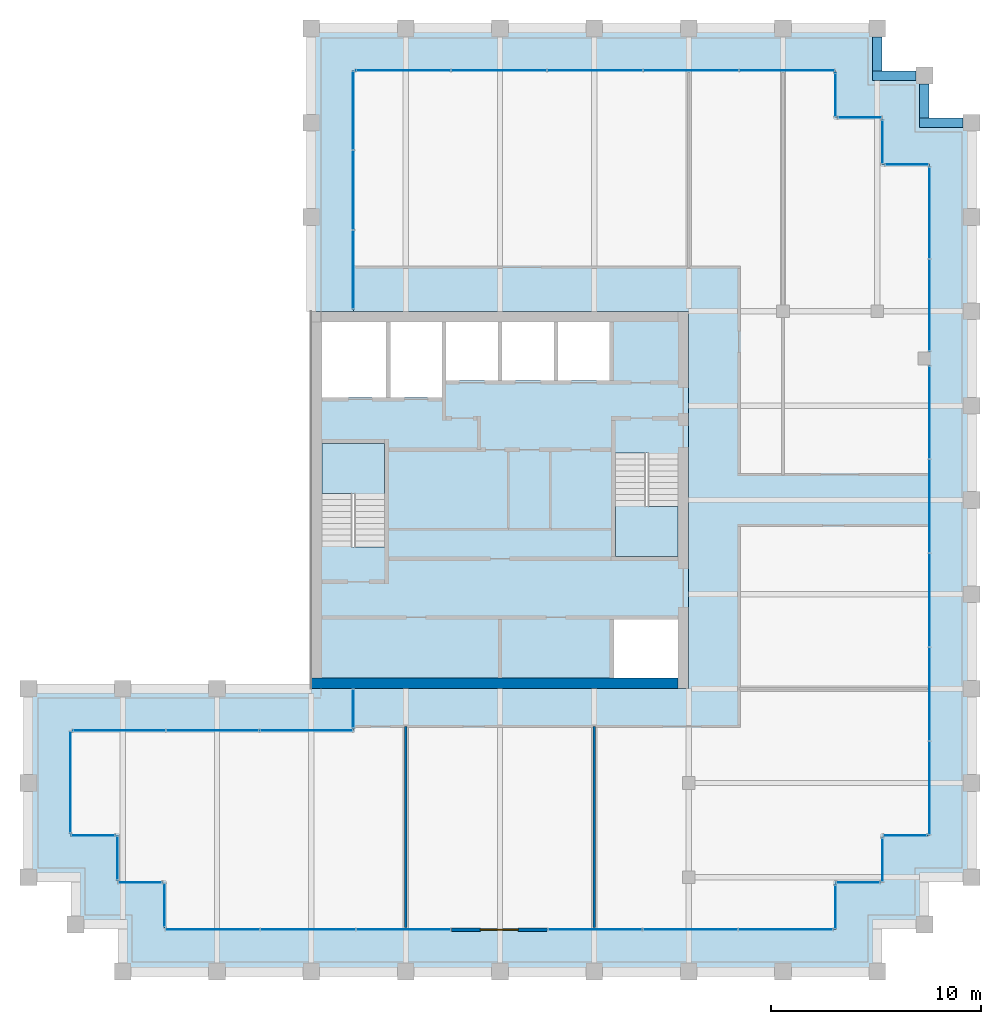
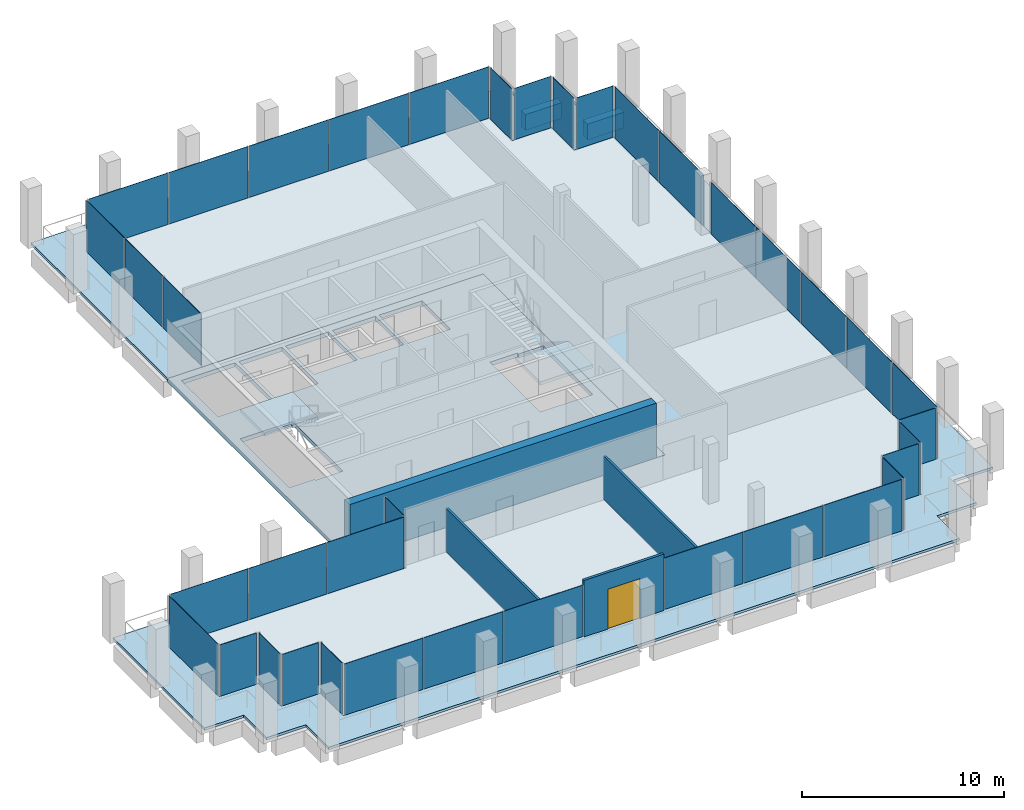
# One storey, part 27 of 30: 38 plates, 5 slabs, 4 beams, 4 walls, 1 door, 1 opening, 23 elements without a shape of their own.
"""IFC4 building model written with IfcOpenShell, lengths in metres."""

from ifc_helpers import new_model, si_unit, direction, frame, frame_2d, origin, origin_2d, place, context, subcontext, project, spatial, polyline, rectangle, outline, extrude, material, layer, layer_set, material_profile, profile_set, type_object, element, fill, aggregate, save


model = new_model("IFC4")

# Units and contexts
model_context = context("Model", 3, precision=1e-05, world=origin(), true_north=direction((0.0, 1.0)))
body_context = subcontext(model_context, "Body", "Model", "MODEL_VIEW")
ifc_project = project(units=[si_unit("LENGTHUNIT", "METRE"), si_unit("AREAUNIT", "SQUARE_METRE"), si_unit("VOLUMEUNIT", "CUBIC_METRE"), si_unit("PLANEANGLEUNIT", "RADIAN"), si_unit("MASSUNIT", "GRAM", prefix="KILO")], contexts=[model_context])

# Site, building, storey
site_placement = place(None, origin())
site = spatial("IfcSite", under=ifc_project, at=site_placement, CompositionType="ELEMENT")
building_placement = place(site_placement, origin())
building = spatial("IfcBuilding", under=site, at=building_placement, Name="Altepetl Exchange Towers", CompositionType="ELEMENT")
storey_placement = place(building_placement, frame((0.0, 0.0, 242.39990234375)))
storey = spatial("IfcBuildingStorey", under=building, at=storey_placement, Name="L62", CompositionType="ELEMENT", Elevation=242.39990234375)

# Beams
ifc_material_1 = material(Name="Concrete C50/60 precast with cantera rosa facing", Category="concrete")
ifc_material_profile = material_profile(ifc_material_1, rectangle(XDim=0.449951171875, YDim=0.949951171875, at=origin_2d()), Name="450 x 950")
ifc_profile_set = profile_set([ifc_material_profile], Name="Concrete C50/60 precast with cantera rosa facing")
beam_type = type_object("IfcBeamType", Name="Spandrel beam 450x950 cantera rosa", PredefinedType="SPANDREL", material=ifc_profile_set)
beam_1_placement = place(storey_placement, frame((71.60009765625, 67.5, -0.625), z_axis=(-1.0, 0.0, 0.0), x_axis=(0.0, -1.0, 0.0)))
element("IfcBeam", 1, at=beam_1_placement, inside=storey, type_object=beam_type, Name="sp:A:L62:020", PredefinedType="SPANDREL", context=body_context, shape_type="SweptSolid", body=[
    extrude(rectangle(XDim=0.449951171875, YDim=0.949951171875, at=origin_2d()), origin(), (0.0, 0.0, 1.0), 2.0751953125),
])
beam_2_placement = place(storey_placement, frame((69.75, 67.72509765625, -0.625), z_axis=(0.0, 1.0, 0.0), x_axis=(-1.0, 0.0, 0.0)))
element("IfcBeam", 2, at=beam_2_placement, inside=storey, type_object=beam_type, Name="sp:A:L62:021", PredefinedType="SPANDREL", context=body_context, shape_type="SweptSolid", body=[
    extrude(rectangle(XDim=0.449951171875, YDim=0.949951171875, at=origin_2d()), origin(), (0.0, 0.0, 1.0), 1.625),
])
beam_3_placement = place(storey_placement, frame((69.35009765625, 69.75, -0.625), z_axis=(-1.0, 0.0, 0.0), x_axis=(0.0, -1.0, 0.0)))
element("IfcBeam", 3, at=beam_3_placement, inside=storey, type_object=beam_type, Name="sp:A:L62:022", PredefinedType="SPANDREL", context=body_context, shape_type="SweptSolid", body=[
    extrude(rectangle(XDim=0.449951171875, YDim=0.949951171875, at=origin_2d()), origin(), (0.0, 0.0, 1.0), 2.0751953125),
])
beam_4_placement = place(storey_placement, frame((67.5, 69.97509765625, -0.625), z_axis=(0.0, 1.0, 0.0), x_axis=(-1.0, 0.0, 0.0)))
element("IfcBeam", 4, at=beam_4_placement, inside=storey, type_object=beam_type, Name="sp:A:L62:023", PredefinedType="SPANDREL", context=body_context, shape_type="SweptSolid", body=[
    extrude(rectangle(XDim=0.449951171875, YDim=0.949951171875, at=origin_2d()), origin(), (0.0, 0.0, 1.0), 1.625),
])

# Slabs
ifc_material_2 = material(Name="Concrete C40/50", Category="concrete")
ifc_layer_1 = layer(ifc_material_2, 0.14990234375)
ifc_layer_set_1 = layer_set([ifc_layer_1], Name="Concrete C40/50")
slab_type_1 = type_object("IfcSlabType", Name="Composite floor slab 150", PredefinedType="FLOOR", material=ifc_layer_set_1)
slab_1_placement = place(storey_placement, frame((0.0, 0.0, -0.14990234375)))
element("IfcSlab", 5, at=slab_1_placement, inside=storey, type_object=slab_type_1, Name="slab:A:L62:strip0", PredefinedType="FLOOR", context=body_context, shape_type="SweptSolid", body=[
    extrude(outline(polyline([(42.5, 70.0), (42.5, 58.5), (58.5, 58.5), (58.5, 40.5), (42.5, 40.5), (42.5, 38.5), (29.0, 38.5), (29.0, 33.5), (31.25, 33.5), (31.25, 31.25), (33.5, 31.25), (33.5, 29.0), (65.5, 29.0), (65.5, 31.25), (67.75, 31.25), (67.75, 33.5), (70.0, 33.5), (70.0, 65.5), (67.75, 65.5), (67.75, 67.75), (65.5, 67.75), (65.5, 70.0), (42.5, 70.0)])), origin(), (0.0, 0.0, 1.0), 0.14990234375),
])
ifc_layer_2 = layer(ifc_material_2, 0.25)
ifc_layer_set_2 = layer_set([ifc_layer_2], Name="Concrete C40/50")
slab_type_2 = type_object("IfcSlabType", Name="Core floor slab 250", PredefinedType="FLOOR", material=ifc_layer_set_2)
slab_2_placement = place(storey_placement, frame((0.0, 0.0, -0.25)))
element("IfcSlab", 6, at=slab_2_placement, inside=storey, type_object=slab_type_2, Name="slab:A:L62:core0", PredefinedType="FLOOR", context=body_context, shape_type="SweptSolid", body=[
    extrude(outline(polyline([(40.5, 40.5), (58.5, 40.5), (58.5, 58.5), (40.5, 58.5), (40.5, 40.5)]), holes=[polyline([(54.93310546875, 43.800048828125), (58.0, 43.800048828125), (58.0, 41.0), (54.93310546875, 41.0), (54.93310546875, 43.800048828125)]), polyline([(55.0, 51.7490234375), (56.550048828125, 51.7490234375), (56.550048828125, 51.64990234375), (58.0, 51.64990234375), (58.0, 46.800048828125), (55.0, 46.800048828125), (55.0, 51.7490234375)]), polyline([(44.0, 47.2509765625), (42.449951171875, 47.2509765625), (42.449951171875, 47.35009765625), (41.0, 47.35009765625), (41.0, 52.199951171875), (44.0, 52.199951171875), (44.0, 47.2509765625)]), polyline([(41.0, 58.0), (44.06689453125, 58.0), (44.06689453125, 54.39990234375), (41.0, 54.39990234375), (41.0, 58.0)]), polyline([(44.26708984375, 58.0), (46.73291015625, 58.0), (46.73291015625, 54.39990234375), (44.26708984375, 54.39990234375), (44.26708984375, 58.0)]), polyline([(46.93310546875, 58.0), (49.39990234375, 58.0), (49.39990234375, 55.199951171875), (46.93310546875, 55.199951171875), (46.93310546875, 58.0)]), polyline([(49.60009765625, 58.0), (52.06689453125, 58.0), (52.06689453125, 55.199951171875), (49.60009765625, 55.199951171875), (49.60009765625, 58.0)]), polyline([(52.26708984375, 58.0), (54.73291015625, 58.0), (54.73291015625, 55.199951171875), (52.26708984375, 55.199951171875), (52.26708984375, 58.0)])]), origin(), (0.0, 0.0, 1.0), 0.25),
])

# Curtain wall, plate
ifc_material_3 = material(Name="Aluminium 6063-T6 glazing", Category="aluminium")
curtain_wall_type = type_object("IfcCurtainWallType", Name="Loggia glazing system", PredefinedType="NOTDEFINED", material=ifc_material_3)
curtain_wall_1_placement = place(storey_placement, origin())
curtain_wall_1 = element("IfcCurtainWall", 7, at=curtain_wall_1_placement, inside=storey, type_object=curtain_wall_type, Name="CW1 run", PredefinedType="NOTDEFINED")
ifc_material_4 = material(Name="Glass 6-16-6 low emissivity", Category="glass")
ifc_layer_3 = layer(ifc_material_4, 0.028076171875)
ifc_layer_set_3 = layer_set([ifc_layer_3], Name="Glass 6-16-6 low emissivity")
plate_type = type_object("IfcPlateType", Name="Glass panel 28 double glazed", PredefinedType="CURTAIN_PANEL", material=ifc_layer_set_3)
plate_1_placement = place(storey_placement, frame((42.5, 39.53759765625, 0.0), z_axis=(0.0, 0.0, 1.0), x_axis=(0.0, -1.0, 0.0)))
plate_1 = element("IfcPlate", 8, at=plate_1_placement, type_object=plate_type, Name="GP1 panel", PredefinedType="CURTAIN_PANEL", context=body_context, shape_type="SweptSolid", body=[
    extrude(rectangle(XDim=1.804931640625, YDim=0.028076171875, at=origin_2d()), origin(), (0.0, 0.0, 1.0), 3.10009765625),
])
aggregate(curtain_wall_1, [plate_1])

# Curtain wall, plates
curtain_wall_2_placement = place(storey_placement, origin())
curtain_wall_2 = element("IfcCurtainWall", 9, at=curtain_wall_2_placement, inside=storey, type_object=curtain_wall_type, Name="CW1 run", PredefinedType="NOTDEFINED")
plate_2_placement = place(storey_placement, frame((40.24755859375, 38.5, 0.0), z_axis=(0.0, 0.0, 1.0), x_axis=(-1.0, 0.0, 0.0)))
plate_2 = element("IfcPlate", 10, at=plate_2_placement, type_object=plate_type, Name="GP1 panel", PredefinedType="CURTAIN_PANEL", context=body_context, shape_type="SweptSolid", body=[
    extrude(rectangle(XDim=4.385009765625, YDim=0.028076171875, at=origin_2d()), origin(), (0.0, 0.0, 1.0), 3.10009765625),
])
plate_3_placement = place(storey_placement, frame((35.78759765625, 38.5, 0.0), z_axis=(0.0, 0.0, 1.0), x_axis=(-1.0, 0.0, 0.0)))
plate_3 = element("IfcPlate", 11, at=plate_3_placement, type_object=plate_type, Name="GP1 panel", PredefinedType="CURTAIN_PANEL", context=body_context, shape_type="SweptSolid", body=[
    extrude(rectangle(XDim=4.4150390625, YDim=0.028076171875, at=origin_2d()), origin(), (0.0, 0.0, 1.0), 3.10009765625),
])
plate_4_placement = place(storey_placement, frame((31.327392578125, 38.5, 0.0), z_axis=(0.0, 0.0, 1.0), x_axis=(-1.0, 0.0, 0.0)))
plate_4 = element("IfcPlate", 12, at=plate_4_placement, type_object=plate_type, Name="GP1 panel", PredefinedType="CURTAIN_PANEL", context=body_context, shape_type="SweptSolid", body=[
    extrude(rectangle(XDim=4.385009765625, YDim=0.028076171875, at=origin_2d()), origin(), (0.0, 0.0, 1.0), 3.10009765625),
])
aggregate(curtain_wall_2, [plate_2, plate_3, plate_4])

# Curtain wall, plate
curtain_wall_3_placement = place(storey_placement, origin())
curtain_wall_3 = element("IfcCurtainWall", 13, at=curtain_wall_3_placement, inside=storey, type_object=curtain_wall_type, Name="CW1 run", PredefinedType="NOTDEFINED")
plate_5_placement = place(storey_placement, frame((29.0, 36.03759765625, 0.0), z_axis=(0.0, 0.0, 1.0), x_axis=(0.0, -1.0, 0.0)))
plate_5 = element("IfcPlate", 14, at=plate_5_placement, type_object=plate_type, Name="GP1 panel", PredefinedType="CURTAIN_PANEL", context=body_context, shape_type="SweptSolid", body=[
    extrude(rectangle(XDim=4.804931640625, YDim=0.028076171875, at=origin_2d()), origin(), (0.0, 0.0, 1.0), 3.10009765625),
])
aggregate(curtain_wall_3, [plate_5])

curtain_wall_4_placement = place(storey_placement, origin())
curtain_wall_4 = element("IfcCurtainWall", 15, at=curtain_wall_4_placement, inside=storey, type_object=curtain_wall_type, Name="CW1 run", PredefinedType="NOTDEFINED")
plate_6_placement = place(storey_placement, frame((30.08740234375, 33.5, 0.0)))
plate_6 = element("IfcPlate", 16, at=plate_6_placement, type_object=plate_type, Name="GP1 panel", PredefinedType="CURTAIN_PANEL", context=body_context, shape_type="SweptSolid", body=[
    extrude(rectangle(XDim=2.054931640625, YDim=0.028076171875, at=origin_2d()), origin(), (0.0, 0.0, 1.0), 3.10009765625),
])
aggregate(curtain_wall_4, [plate_6])

curtain_wall_5_placement = place(storey_placement, origin())
curtain_wall_5 = element("IfcCurtainWall", 17, at=curtain_wall_5_placement, inside=storey, type_object=curtain_wall_type, Name="CW1 run", PredefinedType="NOTDEFINED")
plate_7_placement = place(storey_placement, frame((31.25, 32.41259765625, 0.0), z_axis=(0.0, 0.0, 1.0), x_axis=(0.0, -1.0, 0.0)))
plate_7 = element("IfcPlate", 18, at=plate_7_placement, type_object=plate_type, Name="GP1 panel", PredefinedType="CURTAIN_PANEL", context=body_context, shape_type="SweptSolid", body=[
    extrude(rectangle(XDim=2.054931640625, YDim=0.028076171875, at=origin_2d()), origin(), (0.0, 0.0, 1.0), 3.10009765625),
])
aggregate(curtain_wall_5, [plate_7])

curtain_wall_6_placement = place(storey_placement, origin())
curtain_wall_6 = element("IfcCurtainWall", 19, at=curtain_wall_6_placement, inside=storey, type_object=curtain_wall_type, Name="CW1 run", PredefinedType="NOTDEFINED")
plate_8_placement = place(storey_placement, frame((32.33740234375, 31.25, 0.0)))
plate_8 = element("IfcPlate", 20, at=plate_8_placement, type_object=plate_type, Name="GP1 panel", PredefinedType="CURTAIN_PANEL", context=body_context, shape_type="SweptSolid", body=[
    extrude(rectangle(XDim=2.054931640625, YDim=0.028076171875, at=origin_2d()), origin(), (0.0, 0.0, 1.0), 3.10009765625),
])
aggregate(curtain_wall_6, [plate_8])

curtain_wall_7_placement = place(storey_placement, origin())
curtain_wall_7 = element("IfcCurtainWall", 21, at=curtain_wall_7_placement, inside=storey, type_object=curtain_wall_type, Name="CW1 run", PredefinedType="NOTDEFINED")
plate_9_placement = place(storey_placement, frame((33.5, 30.16259765625, 0.0), z_axis=(0.0, 0.0, 1.0), x_axis=(0.0, -1.0, 0.0)))
plate_9 = element("IfcPlate", 22, at=plate_9_placement, type_object=plate_type, Name="GP1 panel", PredefinedType="CURTAIN_PANEL", context=body_context, shape_type="SweptSolid", body=[
    extrude(rectangle(XDim=2.054931640625, YDim=0.028076171875, at=origin_2d()), origin(), (0.0, 0.0, 1.0), 3.10009765625),
])
aggregate(curtain_wall_7, [plate_9])

# Curtain wall, plates
curtain_wall_8_placement = place(storey_placement, origin())
curtain_wall_8 = element("IfcCurtainWall", 23, at=curtain_wall_8_placement, inside=storey, type_object=curtain_wall_type, Name="CW1 run", PredefinedType="NOTDEFINED")
plate_10_placement = place(storey_placement, frame((35.79541015625, 29.0, 0.0)))
plate_10 = element("IfcPlate", 24, at=plate_10_placement, type_object=plate_type, Name="GP1 panel", PredefinedType="CURTAIN_PANEL", context=body_context, shape_type="SweptSolid", body=[
    extrude(rectangle(XDim=4.470703125, YDim=0.028076171875, at=origin_2d()), origin(), (0.0, 0.0, 1.0), 3.10009765625),
])
plate_11_placement = place(storey_placement, frame((40.341064453125, 29.0, 0.0)))
plate_11 = element("IfcPlate", 25, at=plate_11_placement, type_object=plate_type, Name="GP1 panel", PredefinedType="CURTAIN_PANEL", context=body_context, shape_type="SweptSolid", body=[
    extrude(rectangle(XDim=4.500732421875, YDim=0.028076171875, at=origin_2d()), origin(), (0.0, 0.0, 1.0), 3.10009765625),
])
plate_12_placement = place(storey_placement, frame((44.88671875, 29.0, 0.0)))
plate_12 = element("IfcPlate", 26, at=plate_12_placement, type_object=plate_type, Name="GP1 panel", PredefinedType="CURTAIN_PANEL", context=body_context, shape_type="SweptSolid", body=[
    extrude(rectangle(XDim=4.470703125, YDim=0.028076171875, at=origin_2d()), origin(), (0.0, 0.0, 1.0), 3.10009765625),
])
aggregate(curtain_wall_8, [plate_10, plate_11, plate_12])

curtain_wall_9_placement = place(storey_placement, origin())
curtain_wall_9 = element("IfcCurtainWall", 27, at=curtain_wall_9_placement, inside=storey, type_object=curtain_wall_type, Name="CW1 run", PredefinedType="NOTDEFINED")
plate_13_placement = place(storey_placement, frame((54.038330078125, 29.0, 0.0)))
plate_13 = element("IfcPlate", 28, at=plate_13_placement, type_object=plate_type, Name="GP1 panel", PredefinedType="CURTAIN_PANEL", context=body_context, shape_type="SweptSolid", body=[
    extrude(rectangle(XDim=4.470703125, YDim=0.028076171875, at=origin_2d()), origin(), (0.0, 0.0, 1.0), 3.10009765625),
])
plate_14_placement = place(storey_placement, frame((58.583984375, 29.0, 0.0)))
plate_14 = element("IfcPlate", 29, at=plate_14_placement, type_object=plate_type, Name="GP1 panel", PredefinedType="CURTAIN_PANEL", context=body_context, shape_type="SweptSolid", body=[
    extrude(rectangle(XDim=4.500732421875, YDim=0.028076171875, at=origin_2d()), origin(), (0.0, 0.0, 1.0), 3.10009765625),
])
plate_15_placement = place(storey_placement, frame((63.129638671875, 29.0, 0.0)))
plate_15 = element("IfcPlate", 30, at=plate_15_placement, type_object=plate_type, Name="GP1 panel", PredefinedType="CURTAIN_PANEL", context=body_context, shape_type="SweptSolid", body=[
    extrude(rectangle(XDim=4.470703125, YDim=0.028076171875, at=origin_2d()), origin(), (0.0, 0.0, 1.0), 3.10009765625),
])
aggregate(curtain_wall_9, [plate_13, plate_14, plate_15])

# Curtain wall, plate
curtain_wall_10_placement = place(storey_placement, origin())
curtain_wall_10 = element("IfcCurtainWall", 31, at=curtain_wall_10_placement, inside=storey, type_object=curtain_wall_type, Name="CW1 run", PredefinedType="NOTDEFINED")
plate_16_placement = place(storey_placement, frame((65.5, 30.08740234375, 0.0), z_axis=(0.0, 0.0, 1.0), x_axis=(0.0, 1.0, 0.0)))
plate_16 = element("IfcPlate", 32, at=plate_16_placement, type_object=plate_type, Name="GP1 panel", PredefinedType="CURTAIN_PANEL", context=body_context, shape_type="SweptSolid", body=[
    extrude(rectangle(XDim=2.054931640625, YDim=0.028076171875, at=origin_2d()), origin(), (0.0, 0.0, 1.0), 3.10009765625),
])
aggregate(curtain_wall_10, [plate_16])

curtain_wall_11_placement = place(storey_placement, origin())
curtain_wall_11 = element("IfcCurtainWall", 33, at=curtain_wall_11_placement, inside=storey, type_object=curtain_wall_type, Name="CW1 run", PredefinedType="NOTDEFINED")
plate_17_placement = place(storey_placement, frame((66.58740234375, 31.25, 0.0)))
plate_17 = element("IfcPlate", 34, at=plate_17_placement, type_object=plate_type, Name="GP1 panel", PredefinedType="CURTAIN_PANEL", context=body_context, shape_type="SweptSolid", body=[
    extrude(rectangle(XDim=2.054931640625, YDim=0.028076171875, at=origin_2d()), origin(), (0.0, 0.0, 1.0), 3.10009765625),
])
aggregate(curtain_wall_11, [plate_17])

curtain_wall_12_placement = place(storey_placement, origin())
curtain_wall_12 = element("IfcCurtainWall", 35, at=curtain_wall_12_placement, inside=storey, type_object=curtain_wall_type, Name="CW1 run", PredefinedType="NOTDEFINED")
plate_18_placement = place(storey_placement, frame((67.75, 32.33740234375, 0.0), z_axis=(0.0, 0.0, 1.0), x_axis=(0.0, 1.0, 0.0)))
plate_18 = element("IfcPlate", 36, at=plate_18_placement, type_object=plate_type, Name="GP1 panel", PredefinedType="CURTAIN_PANEL", context=body_context, shape_type="SweptSolid", body=[
    extrude(rectangle(XDim=2.054931640625, YDim=0.028076171875, at=origin_2d()), origin(), (0.0, 0.0, 1.0), 3.10009765625),
])
aggregate(curtain_wall_12, [plate_18])

curtain_wall_13_placement = place(storey_placement, origin())
curtain_wall_13 = element("IfcCurtainWall", 37, at=curtain_wall_13_placement, inside=storey, type_object=curtain_wall_type, Name="CW1 run", PredefinedType="NOTDEFINED")
plate_19_placement = place(storey_placement, frame((68.83740234375, 33.5, 0.0)))
plate_19 = element("IfcPlate", 38, at=plate_19_placement, type_object=plate_type, Name="GP1 panel", PredefinedType="CURTAIN_PANEL", context=body_context, shape_type="SweptSolid", body=[
    extrude(rectangle(XDim=2.054931640625, YDim=0.028076171875, at=origin_2d()), origin(), (0.0, 0.0, 1.0), 3.10009765625),
])
aggregate(curtain_wall_13, [plate_19])

# Curtain wall, plates
curtain_wall_14_placement = place(storey_placement, origin())
curtain_wall_14 = element("IfcCurtainWall", 39, at=curtain_wall_14_placement, inside=storey, type_object=curtain_wall_type, Name="CW1 run", PredefinedType="NOTDEFINED")
plate_20_placement = place(storey_placement, frame((70.0, 35.758056640625, 0.0), z_axis=(0.0, 0.0, 1.0), x_axis=(0.0, 1.0, 0.0)))
plate_20 = element("IfcPlate", 40, at=plate_20_placement, type_object=plate_type, Name="GP1 panel", PredefinedType="CURTAIN_PANEL", context=body_context, shape_type="SweptSolid", body=[
    extrude(rectangle(XDim=4.39599609375, YDim=0.028076171875, at=origin_2d()), origin(), (0.0, 0.0, 1.0), 3.10009765625),
])
plate_21_placement = place(storey_placement, frame((70.0, 40.22900390625, 0.0), z_axis=(0.0, 0.0, 1.0), x_axis=(0.0, 1.0, 0.0)))
plate_21 = element("IfcPlate", 41, at=plate_21_placement, type_object=plate_type, Name="GP1 panel", PredefinedType="CURTAIN_PANEL", context=body_context, shape_type="SweptSolid", body=[
    extrude(rectangle(XDim=4.426025390625, YDim=0.028076171875, at=origin_2d()), origin(), (0.0, 0.0, 1.0), 3.10009765625),
])
plate_22_placement = place(storey_placement, frame((70.0, 44.715087890625, 0.0), z_axis=(0.0, 0.0, 1.0), x_axis=(0.0, 1.0, 0.0)))
plate_22 = element("IfcPlate", 42, at=plate_22_placement, type_object=plate_type, Name="GP1 panel", PredefinedType="CURTAIN_PANEL", context=body_context, shape_type="SweptSolid", body=[
    extrude(rectangle(XDim=4.426025390625, YDim=0.028076171875, at=origin_2d()), origin(), (0.0, 0.0, 1.0), 3.10009765625),
])
plate_23_placement = place(storey_placement, frame((70.0, 49.200927734375, 0.0), z_axis=(0.0, 0.0, 1.0), x_axis=(0.0, 1.0, 0.0)))
plate_23 = element("IfcPlate", 43, at=plate_23_placement, type_object=plate_type, Name="GP1 panel", PredefinedType="CURTAIN_PANEL", context=body_context, shape_type="SweptSolid", body=[
    extrude(rectangle(XDim=4.426025390625, YDim=0.028076171875, at=origin_2d()), origin(), (0.0, 0.0, 1.0), 3.10009765625),
])
plate_24_placement = place(storey_placement, frame((70.0, 53.672119140625, 0.0), z_axis=(0.0, 0.0, 1.0), x_axis=(0.0, 1.0, 0.0)))
plate_24 = element("IfcPlate", 44, at=plate_24_placement, type_object=plate_type, Name="GP1 panel", PredefinedType="CURTAIN_PANEL", context=body_context, shape_type="SweptSolid", body=[
    extrude(rectangle(XDim=4.39599609375, YDim=0.028076171875, at=origin_2d()), origin(), (0.0, 0.0, 1.0), 3.10009765625),
])
aggregate(curtain_wall_14, [plate_20, plate_21, plate_22, plate_23, plate_24])

curtain_wall_15_placement = place(storey_placement, origin())
curtain_wall_15 = element("IfcCurtainWall", 45, at=curtain_wall_15_placement, inside=storey, type_object=curtain_wall_type, Name="CW1 run", PredefinedType="NOTDEFINED")
plate_25_placement = place(storey_placement, frame((70.0, 58.798828125, 0.0), z_axis=(0.0, 0.0, 1.0), x_axis=(0.0, 1.0, 0.0)))
plate_25 = element("IfcPlate", 46, at=plate_25_placement, type_object=plate_type, Name="GP1 panel", PredefinedType="CURTAIN_PANEL", context=body_context, shape_type="SweptSolid", body=[
    extrude(rectangle(XDim=4.33740234375, YDim=0.028076171875, at=origin_2d()), origin(), (0.0, 0.0, 1.0), 3.10009765625),
])
plate_26_placement = place(storey_placement, frame((70.0, 63.1962890625, 0.0), z_axis=(0.0, 0.0, 1.0), x_axis=(0.0, 1.0, 0.0)))
plate_26 = element("IfcPlate", 47, at=plate_26_placement, type_object=plate_type, Name="GP1 panel", PredefinedType="CURTAIN_PANEL", context=body_context, shape_type="SweptSolid", body=[
    extrude(rectangle(XDim=4.33740234375, YDim=0.028076171875, at=origin_2d()), origin(), (0.0, 0.0, 1.0), 3.10009765625),
])
aggregate(curtain_wall_15, [plate_25, plate_26])

# Curtain wall, plate
curtain_wall_16_placement = place(storey_placement, origin())
curtain_wall_16 = element("IfcCurtainWall", 48, at=curtain_wall_16_placement, inside=storey, type_object=curtain_wall_type, Name="CW1 run", PredefinedType="NOTDEFINED")
plate_27_placement = place(storey_placement, frame((68.91259765625, 65.5, 0.0), z_axis=(0.0, 0.0, 1.0), x_axis=(-1.0, 0.0, 0.0)))
plate_27 = element("IfcPlate", 49, at=plate_27_placement, type_object=plate_type, Name="GP1 panel", PredefinedType="CURTAIN_PANEL", context=body_context, shape_type="SweptSolid", body=[
    extrude(rectangle(XDim=2.054931640625, YDim=0.028076171875, at=origin_2d()), origin(), (0.0, 0.0, 1.0), 3.10009765625),
])
aggregate(curtain_wall_16, [plate_27])

curtain_wall_17_placement = place(storey_placement, origin())
curtain_wall_17 = element("IfcCurtainWall", 50, at=curtain_wall_17_placement, inside=storey, type_object=curtain_wall_type, Name="CW1 run", PredefinedType="NOTDEFINED")
plate_28_placement = place(storey_placement, frame((67.75, 66.58740234375, 0.0), z_axis=(0.0, 0.0, 1.0), x_axis=(0.0, 1.0, 0.0)))
plate_28 = element("IfcPlate", 51, at=plate_28_placement, type_object=plate_type, Name="GP1 panel", PredefinedType="CURTAIN_PANEL", context=body_context, shape_type="SweptSolid", body=[
    extrude(rectangle(XDim=2.054931640625, YDim=0.028076171875, at=origin_2d()), origin(), (0.0, 0.0, 1.0), 3.10009765625),
])
aggregate(curtain_wall_17, [plate_28])

curtain_wall_18_placement = place(storey_placement, origin())
curtain_wall_18 = element("IfcCurtainWall", 52, at=curtain_wall_18_placement, inside=storey, type_object=curtain_wall_type, Name="CW1 run", PredefinedType="NOTDEFINED")
plate_29_placement = place(storey_placement, frame((66.66259765625, 67.75, 0.0), z_axis=(0.0, 0.0, 1.0), x_axis=(-1.0, 0.0, 0.0)))
plate_29 = element("IfcPlate", 53, at=plate_29_placement, type_object=plate_type, Name="GP1 panel", PredefinedType="CURTAIN_PANEL", context=body_context, shape_type="SweptSolid", body=[
    extrude(rectangle(XDim=2.054931640625, YDim=0.028076171875, at=origin_2d()), origin(), (0.0, 0.0, 1.0), 3.10009765625),
])
aggregate(curtain_wall_18, [plate_29])

curtain_wall_19_placement = place(storey_placement, origin())
curtain_wall_19 = element("IfcCurtainWall", 54, at=curtain_wall_19_placement, inside=storey, type_object=curtain_wall_type, Name="CW1 run", PredefinedType="NOTDEFINED")
plate_30_placement = place(storey_placement, frame((65.5, 68.83740234375, 0.0), z_axis=(0.0, 0.0, 1.0), x_axis=(0.0, 1.0, 0.0)))
plate_30 = element("IfcPlate", 55, at=plate_30_placement, type_object=plate_type, Name="GP1 panel", PredefinedType="CURTAIN_PANEL", context=body_context, shape_type="SweptSolid", body=[
    extrude(rectangle(XDim=2.054931640625, YDim=0.028076171875, at=origin_2d()), origin(), (0.0, 0.0, 1.0), 3.10009765625),
])
aggregate(curtain_wall_19, [plate_30])

# Curtain wall, plates
curtain_wall_20_placement = place(storey_placement, origin())
curtain_wall_20 = element("IfcCurtainWall", 56, at=curtain_wall_20_placement, inside=storey, type_object=curtain_wall_type, Name="CW1 run", PredefinedType="NOTDEFINED")
plate_31_placement = place(storey_placement, frame((63.1923828125, 70.0, 0.0), z_axis=(0.0, 0.0, 1.0), x_axis=(-1.0, 0.0, 0.0)))
plate_31 = element("IfcPlate", 57, at=plate_31_placement, type_object=plate_type, Name="GP1 panel", PredefinedType="CURTAIN_PANEL", context=body_context, shape_type="SweptSolid", body=[
    extrude(rectangle(XDim=4.4951171875, YDim=0.028076171875, at=origin_2d()), origin(), (0.0, 0.0, 1.0), 3.10009765625),
])
plate_32_placement = place(storey_placement, frame((58.62255859375, 70.0, 0.0), z_axis=(0.0, 0.0, 1.0), x_axis=(-1.0, 0.0, 0.0)))
plate_32 = element("IfcPlate", 58, at=plate_32_placement, type_object=plate_type, Name="GP1 panel", PredefinedType="CURTAIN_PANEL", context=body_context, shape_type="SweptSolid", body=[
    extrude(rectangle(XDim=4.52490234375, YDim=0.028076171875, at=origin_2d()), origin(), (0.0, 0.0, 1.0), 3.10009765625),
])
plate_33_placement = place(storey_placement, frame((54.03759765625, 70.0, 0.0), z_axis=(0.0, 0.0, 1.0), x_axis=(-1.0, 0.0, 0.0)))
plate_33 = element("IfcPlate", 59, at=plate_33_placement, type_object=plate_type, Name="GP1 panel", PredefinedType="CURTAIN_PANEL", context=body_context, shape_type="SweptSolid", body=[
    extrude(rectangle(XDim=4.52490234375, YDim=0.028076171875, at=origin_2d()), origin(), (0.0, 0.0, 1.0), 3.10009765625),
])
plate_34_placement = place(storey_placement, frame((49.452392578125, 70.0, 0.0), z_axis=(0.0, 0.0, 1.0), x_axis=(-1.0, 0.0, 0.0)))
plate_34 = element("IfcPlate", 60, at=plate_34_placement, type_object=plate_type, Name="GP1 panel", PredefinedType="CURTAIN_PANEL", context=body_context, shape_type="SweptSolid", body=[
    extrude(rectangle(XDim=4.52490234375, YDim=0.028076171875, at=origin_2d()), origin(), (0.0, 0.0, 1.0), 3.10009765625),
])
plate_35_placement = place(storey_placement, frame((44.882568359375, 70.0, 0.0), z_axis=(0.0, 0.0, 1.0), x_axis=(-1.0, 0.0, 0.0)))
plate_35 = element("IfcPlate", 61, at=plate_35_placement, type_object=plate_type, Name="GP1 panel", PredefinedType="CURTAIN_PANEL", context=body_context, shape_type="SweptSolid", body=[
    extrude(rectangle(XDim=4.4951171875, YDim=0.028076171875, at=origin_2d()), origin(), (0.0, 0.0, 1.0), 3.10009765625),
])
aggregate(curtain_wall_20, [plate_31, plate_32, plate_33, plate_34, plate_35])

curtain_wall_21_placement = place(storey_placement, origin())
curtain_wall_21 = element("IfcCurtainWall", 62, at=curtain_wall_21_placement, inside=storey, type_object=curtain_wall_type, Name="CW1 run", PredefinedType="NOTDEFINED")
plate_36_placement = place(storey_placement, frame((42.5, 68.080810546875, 0.0), z_axis=(0.0, 0.0, 1.0), x_axis=(0.0, -1.0, 0.0)))
plate_36 = element("IfcPlate", 63, at=plate_36_placement, type_object=plate_type, Name="GP1 panel", PredefinedType="CURTAIN_PANEL", context=body_context, shape_type="SweptSolid", body=[
    extrude(rectangle(XDim=3.71826171875, YDim=0.028076171875, at=origin_2d()), origin(), (0.0, 0.0, 1.0), 3.10009765625),
])
plate_37_placement = place(storey_placement, frame((42.5, 64.28759765625, 0.0), z_axis=(0.0, 0.0, 1.0), x_axis=(0.0, -1.0, 0.0)))
plate_37 = element("IfcPlate", 64, at=plate_37_placement, type_object=plate_type, Name="GP1 panel", PredefinedType="CURTAIN_PANEL", context=body_context, shape_type="SweptSolid", body=[
    extrude(rectangle(XDim=3.748291015625, YDim=0.028076171875, at=origin_2d()), origin(), (0.0, 0.0, 1.0), 3.10009765625),
])
plate_38_placement = place(storey_placement, frame((42.5, 60.494140625, 0.0), z_axis=(0.0, 0.0, 1.0), x_axis=(0.0, -1.0, 0.0)))
plate_38 = element("IfcPlate", 65, at=plate_38_placement, type_object=plate_type, Name="GP1 panel", PredefinedType="CURTAIN_PANEL", context=body_context, shape_type="SweptSolid", body=[
    extrude(rectangle(XDim=3.71826171875, YDim=0.028076171875, at=origin_2d()), origin(), (0.0, 0.0, 1.0), 3.10009765625),
])
aggregate(curtain_wall_21, [plate_36, plate_37, plate_38])

# Slab
ifc_layer_4 = layer(ifc_material_2, 0.14990234375)
ifc_layer_set_4 = layer_set([ifc_layer_4], Name="Concrete C40/50")
slab_type_3 = type_object("IfcSlabType", Name="Loggia slab 150", PredefinedType="FLOOR", material=ifc_layer_set_4)
slab_3_placement = place(storey_placement, frame((0.0, 0.0, -0.14990234375)))
element("IfcSlab", 66, at=slab_3_placement, inside=storey, type_object=slab_type_3, Name="slab:A:L62:loggia0", PredefinedType="FLOOR", context=body_context, shape_type="SweptSolid", body=[
    extrude(outline(polyline([(40.5, 72.0), (40.5, 58.5), (42.5, 58.5), (42.5, 70.0), (65.5, 70.0), (65.5, 67.75), (67.75, 67.75), (67.75, 65.5), (70.0, 65.5), (70.0, 33.5), (67.75, 33.5), (67.75, 31.25), (65.5, 31.25), (65.5, 29.0), (33.5, 29.0), (33.5, 31.25), (31.25, 31.25), (31.25, 33.5), (29.0, 33.5), (29.0, 38.5), (42.5, 38.5), (42.5, 40.5), (40.5, 40.5), (27.0, 40.5), (27.0, 31.5), (29.25, 31.5), (29.25, 29.25), (31.5, 29.25), (31.5, 27.0), (58.5, 27.0), (67.5, 27.0), (67.5, 29.25), (69.75, 29.25), (69.75, 31.5), (72.0, 31.5), (72.0, 58.5), (72.0, 67.5), (69.75, 67.5), (69.75, 69.75), (67.5, 69.75), (67.5, 72.0), (40.5, 72.0)])), origin(), (0.0, 0.0, 1.0), 0.14990234375),
])

# Stair, slab
stair_type = type_object("IfcStairType", Name="Exit stair 1450 flights dogleg", PredefinedType="HALF_TURN_STAIR", material=ifc_material_2)
stair_1_placement = place(storey_placement, origin())
stair_1 = element("IfcStair", 67, at=stair_1_placement, inside=storey, type_object=stair_type, Name="Exit stair 1", PredefinedType="HALF_TURN_STAIR")
ifc_layer_5 = layer(ifc_material_2, 0.199951171875)
ifc_layer_set_5 = layer_set([ifc_layer_5], Name="Concrete C40/50")
slab_type_4 = type_object("IfcSlabType", Name="Stair landing 200 reinforced concrete", PredefinedType="LANDING", material=ifc_layer_set_5)
slab_4_placement = place(storey_placement, frame((0.0, 0.0, 1.60009765625)))
slab_4 = element("IfcSlab", 68, at=slab_4_placement, type_object=slab_type_4, Name="ST-A1f landing 1", PredefinedType="LANDING", context=body_context, shape_type="SweptSolid", body=[
    extrude(outline(polyline([(44.0, 49.715087890625), (42.550048828125, 49.715087890625), (42.550048828125, 49.81494140625), (42.449951171875, 49.81494140625), (42.449951171875, 49.814208984375), (41.0, 49.814208984375), (41.0, 49.81494140625), (41.0, 52.199951171875), (44.0, 52.199951171875), (44.0, 49.81494140625), (44.0, 49.715087890625)])), origin(), (0.0, 0.0, 1.0), 0.199951171875),
])
aggregate(stair_1, [slab_4])

stair_2_placement = place(storey_placement, origin())
stair_2 = element("IfcStair", 69, at=stair_2_placement, inside=storey, type_object=stair_type, Name="Exit stair 2", PredefinedType="HALF_TURN_STAIR")
slab_5_placement = place(storey_placement, frame((0.0, 0.0, 1.60009765625)))
slab_5 = element("IfcSlab", 70, at=slab_5_placement, type_object=slab_type_4, Name="ST-A2f landing 1", PredefinedType="LANDING", context=body_context, shape_type="SweptSolid", body=[
    extrude(outline(polyline([(58.0, 46.800048828125), (55.0, 46.800048828125), (55.0, 49.18505859375), (55.0, 49.284912109375), (56.449951171875, 49.284912109375), (56.449951171875, 49.18505859375), (56.550048828125, 49.18505859375), (56.550048828125, 49.185791015625), (58.0, 49.185791015625), (58.0, 49.18505859375), (58.0, 46.800048828125)])), origin(), (0.0, 0.0, 1.0), 0.199951171875),
])
aggregate(stair_2, [slab_5])

# Wall
ifc_material_5 = material(Name="Concrete C70/85", Category="concrete")
ifc_layer_6 = layer(ifc_material_5, 0.5)
ifc_layer_set_6 = layer_set([ifc_layer_6], Name="Concrete C70/85")
wall_type_1 = type_object("IfcWallType", Name="Core wall 500 reinforced concrete", PredefinedType="SHEAR", material=ifc_layer_set_6)
wall_1_placement = place(storey_placement, frame((40.5, 40.75, 0.0)))
element("IfcWall", 71, at=wall_1_placement, inside=storey, type_object=wall_type_1, Name="wall:A:L62:K-coreS", PredefinedType="SHEAR", context=body_context, shape_type="SweptSolid", body=[
    extrude(rectangle(XDim=17.5, YDim=0.5, at=frame_2d((8.75, 0.0))), origin(), (0.0, 0.0, 1.0), 3.300048828125),
])

# Wall, opening, door
ifc_material_6 = material(Name="Aluminium composite cladding", Category="aluminium")
ifc_layer_7 = layer(ifc_material_6, 0.14990234375)
ifc_layer_set_7 = layer_set([ifc_layer_7], Name="Aluminium composite cladding")
wall_type_2 = type_object("IfcWallType", Name="Infill wall 150 aluminium panel", PredefinedType="SOLIDWALL", material=ifc_layer_set_7)
wall_2_placement = place(storey_placement, frame((47.18212890625, 29.0, 0.0)))
wall_2 = element("IfcWall", 72, at=wall_2_placement, inside=storey, type_object=wall_type_2, Name="Loggia door bay wall", PredefinedType="SOLIDWALL", context=body_context, shape_type="SweptSolid", body=[
    extrude(rectangle(XDim=4.560791015625, YDim=0.14990234375, at=frame_2d((2.2802734375, 0.0))), origin(), (0.0, 0.0, 1.0), 3.400146484375),
])
opening_placement = place(wall_2_placement, frame((1.38037109375, 0.0, 0.0)))
opening = element("IfcOpeningElement", 73, at=opening_placement, cuts=wall_2, Name="Opening L62.A90", PredefinedType="OPENING", context=body_context, shape_type="SweptSolid", body=[
    extrude(rectangle(XDim=1.800048828125, YDim=2.39990234375, at=frame_2d((0.89990234375, 1.199951171875))), frame((0.0, 0.0849609375, 0.0), z_axis=(0.0, -1.0, 0.0), x_axis=(1.0, 0.0, 0.0)), (0.0, 0.0, 1.0), 0.169921875),
])
ifc_material_7 = material(Name="Aluminium 6063-T6 and glass", Category="aluminium")
door_type = type_object("IfcDoorType", Name="Glazed door pair 1800x2400", OperationType="DOUBLE_DOOR_DOUBLE_SWING", PredefinedType="NOTDEFINED", material=ifc_material_7)
door_placement = place(opening_placement, frame((1.800048828125, 0.0, 0.0), x_axis=(-1.0, 0.0, 0.0)))
door = element("IfcDoor", 74, at=door_placement, inside=storey, type_object=door_type, Name="Loggia door", OperationType="DOUBLE_DOOR_DOUBLE_SWING", OverallHeight=2.39990234375, OverallWidth=1.800048828125, PredefinedType="NOTDEFINED", context=body_context, shape_type="SweptSolid", body=[
    extrude(rectangle(XDim=1.800048828125, YDim=2.39990234375, at=frame_2d((0.89990234375, 1.199951171875))), frame((0.0, 0.02490234375, 0.0), z_axis=(0.0, -1.0, 0.0), x_axis=(1.0, 0.0, 0.0)), (0.0, 0.0, 1.0), 0.050048828125),
])
fill(opening, door)

# Walls
ifc_material_8 = material(Name="Gypsum board on steel studs", Category="steel")
ifc_layer_8 = layer(ifc_material_8, 0.125)
ifc_layer_set_8 = layer_set([ifc_layer_8], Name="Gypsum board on steel studs")
wall_type_3 = type_object("IfcWallType", Name="Partition 125 gypsum board on steel studs", PredefinedType="PARTITIONING", material=ifc_layer_set_8)
for number, where, z_axis, x_axis, name in (
    (75, (45.0, 29.10009765625, 0.0), (0.0, 0.0, 1.0), (0.0, 1.0, 0.0), "wall:A:L62:P06"),
    (76, (54.0, 29.10009765625, 0.0), (0.0, 0.0, 1.0), (0.0, 1.0, 0.0), "wall:A:L62:P07"),
):
    element("IfcWall", number, at=place(storey_placement, frame(where, z_axis=z_axis, x_axis=x_axis)), inside=storey, type_object=wall_type_3, Name=name, PredefinedType="PARTITIONING", context=body_context, shape_type="SweptSolid", body=[
        extrude(rectangle(XDim=9.599853515625, YDim=0.125, at=frame_2d((4.7998046875, 0.0))), origin(), (0.0, 0.0, 1.0), 2.6259765625),
    ])

save(model, "model.ifc")
